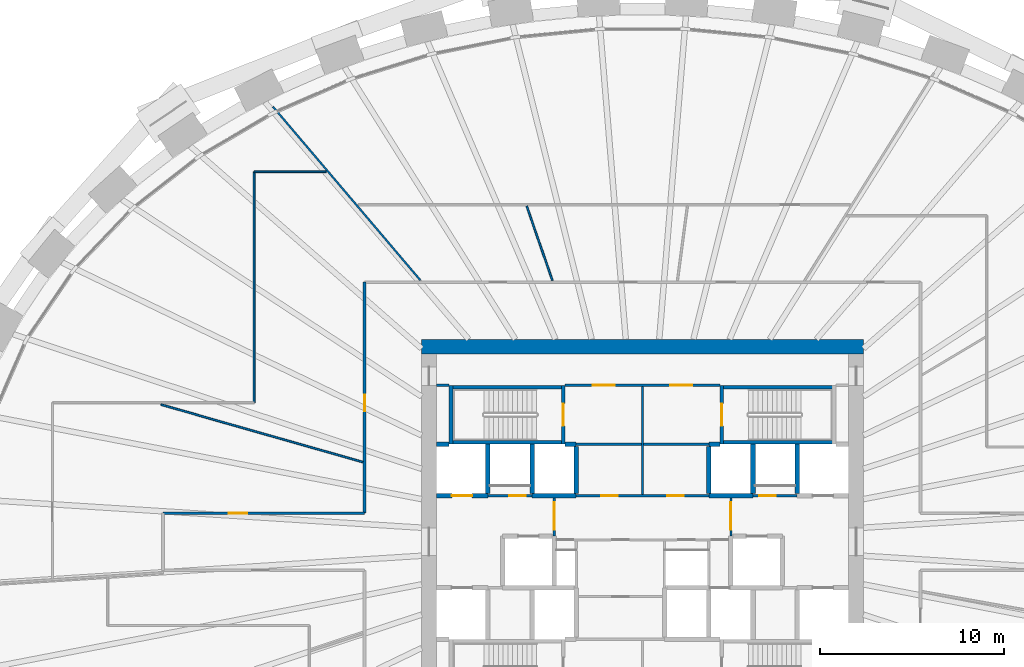
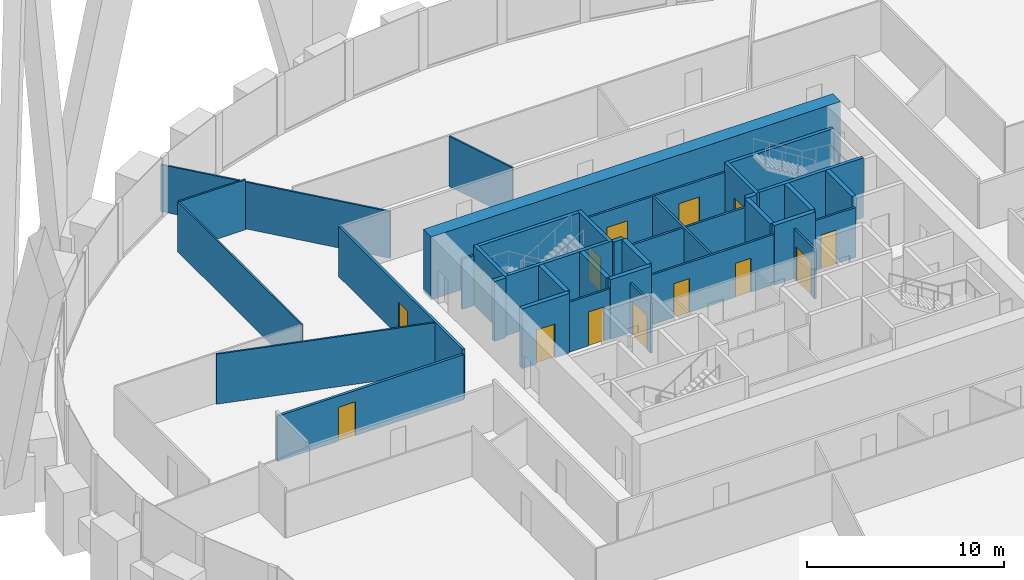
# One storey, part 9 of 12: 36 walls, 13 doors, 13 openings.
"""IFC4 building model written with IfcOpenShell, lengths in metres."""

from ifc_helpers import new_model, si_unit, direction, frame, frame_2d, origin, place, context, subcontext, project, spatial, rectangle, extrude, source, transform, mapped, material, layer, layer_set, type_object, element, fill, save


model = new_model("IFC4")

# Units and contexts
model_context = context("Model", 3, precision=1e-05, world=origin(), true_north=direction((0.0, 1.0)))
body_context = subcontext(model_context, "Body", "Model", "MODEL_VIEW")
ifc_project = project(units=[si_unit("LENGTHUNIT", "METRE"), si_unit("AREAUNIT", "SQUARE_METRE"), si_unit("VOLUMEUNIT", "CUBIC_METRE"), si_unit("PLANEANGLEUNIT", "RADIAN"), si_unit("MASSUNIT", "GRAM", prefix="KILO")], contexts=[model_context])

# Site, building, storey
site_placement = place(None, origin())
site = spatial("IfcSite", under=ifc_project, at=site_placement, CompositionType="ELEMENT")
building_placement = place(site_placement, origin())
building = spatial("IfcBuilding", under=site, at=building_placement, Name="Embergate Tower", CompositionType="ELEMENT")
storey_placement = place(building_placement, frame((0.0, 0.0, 159.89990234375)))
storey = spatial("IfcBuildingStorey", under=building, at=storey_placement, Name="L35", CompositionType="ELEMENT", Elevation=159.89990234375)

# Wall
ifc_material_1 = material(Name="Concrete C70", Category="concrete")
ifc_layer_1 = layer(ifc_material_1, 0.800048828125)
ifc_layer_set_1 = layer_set([ifc_layer_1], Name="Concrete C70")
wall_type_1 = type_object("IfcWallType", Name="Core outer wall C70 800", PredefinedType="SHEAR", material=ifc_layer_set_1)
shared_shape_1 = source(origin(), body_context, "Body", "SweptSolid", [
    extrude(rectangle(XDim=24.0, YDim=0.800048828125, at=frame_2d((12.0, 0.0))), origin(), (0.0, 0.0, 1.0), 3.900146484375),
])
wall_1_placement = place(storey_placement, frame((-12.0, 10.60009765625, -0.199951171875), z_axis=(0.0, 0.0, 1.0), x_axis=(1.0, 0.0, 0.0)))
element("IfcWall", 1, at=wall_1_placement, inside=storey, type_object=wall_type_1, Name="CW-L35-N", PredefinedType="SHEAR", context=body_context, shape_type="MappedRepresentation", body=[
    mapped(shared_shape_1, transform((0.0, 0.0, 0.0))),
])

# Wall, opening, door
ifc_material_2 = material(Name="Core partition blockwork 120")
ifc_layer_2 = layer(ifc_material_2, 0.1201171875)
ifc_layer_set_2 = layer_set([ifc_layer_2], Name="Core partition blockwork 120")
wall_type_2 = type_object("IfcWallType", Name="Core partition blockwork 120", PredefinedType="PARTITIONING", material=ifc_layer_set_2)
shared_shape_2 = source(origin(), body_context, "Body", "SweptSolid", [
    extrude(rectangle(XDim=2.074951171875, YDim=0.1201171875, at=frame_2d((1.03759765625, 0.0))), origin(), (0.0, 0.0, 1.0), 3.10009765625),
])
wall_2_placement = place(storey_placement, frame((-4.800048828125, 2.375, 0.0), z_axis=(0.0, 0.0, 1.0), x_axis=(0.0, -1.0, 0.0)))
wall_2 = element("IfcWall", 2, at=wall_2_placement, inside=storey, type_object=wall_type_2, Name="IP-3 wall", PredefinedType="PARTITIONING", context=body_context, shape_type="MappedRepresentation", body=[
    mapped(shared_shape_2, transform((0.0, 0.0, 0.0))),
])
shared_shape_3 = source(origin(), body_context, "Body", "SweptSolid", [
    extrude(rectangle(XDim=1.5, YDim=2.10009765625, at=frame_2d((0.75, 1.050048828125))), frame((0.0, 0.070068359375, 0.0), z_axis=(0.0, -1.0, 0.0), x_axis=(1.0, 0.0, 0.0)), (0.0, 0.0, 1.0), 0.14013671875),
])
opening_1_placement = place(wall_2_placement, frame((0.22509765625, 0.0, 0.0)))
opening_1 = element("IfcOpeningElement", 3, at=opening_1_placement, cuts=wall_2, Name="Opening IF-3", PredefinedType="OPENING", context=body_context, shape_type="MappedRepresentation", body=[
    mapped(shared_shape_3, transform((0.0, 0.0, 0.0))),
])
ifc_material_3 = material(Name="Lobby fire door pair 1500")
door_type_1 = type_object("IfcDoorType", Name="Lobby fire door pair 1500", OperationType="DOUBLE_DOOR_SINGLE_SWING", PredefinedType="DOOR", material=ifc_material_3)
shared_shape_4 = source(origin(), body_context, "Body", "SweptSolid", [
    extrude(rectangle(XDim=1.5, YDim=2.10009765625, at=frame_2d((0.75, 1.050048828125))), frame((0.0, 0.02490234375, 0.0), z_axis=(0.0, -1.0, 0.0), x_axis=(1.0, 0.0, 0.0)), (0.0, 0.0, 1.0), 0.050048828125),
])
door_1_placement = place(opening_1_placement, origin())
door_1 = element("IfcDoor", 4, at=door_1_placement, inside=storey, type_object=door_type_1, Name="IF-3 door", OperationType="DOUBLE_DOOR_SINGLE_SWING", OverallHeight=2.10009765625, OverallWidth=1.5, PredefinedType="DOOR", context=body_context, shape_type="MappedRepresentation", body=[
    mapped(shared_shape_4, transform((0.0, 0.0, 0.0))),
])
fill(opening_1, door_1)

wall_3_placement = place(storey_placement, frame((4.800048828125, 0.300048828125, 0.0), z_axis=(0.0, 0.0, 1.0), x_axis=(0.0, 1.0, 0.0)))
wall_3 = element("IfcWall", 5, at=wall_3_placement, inside=storey, type_object=wall_type_2, Name="IP-3 wall", PredefinedType="PARTITIONING", context=body_context, shape_type="MappedRepresentation", body=[
    mapped(shared_shape_2, transform((0.0, 0.0, 0.0))),
])
opening_2_placement = place(wall_3_placement, frame((0.35009765625, 0.0, 0.0)))
opening_2 = element("IfcOpeningElement", 6, at=opening_2_placement, cuts=wall_3, Name="Opening IF-3", PredefinedType="OPENING", context=body_context, shape_type="MappedRepresentation", body=[
    mapped(shared_shape_3, transform((0.0, 0.0, 0.0))),
])
door_2_placement = place(opening_2_placement, origin())
door_2 = element("IfcDoor", 7, at=door_2_placement, inside=storey, type_object=door_type_1, Name="IF-3 door", OperationType="DOUBLE_DOOR_SINGLE_SWING", OverallHeight=2.10009765625, OverallWidth=1.5, PredefinedType="DOOR", context=body_context, shape_type="MappedRepresentation", body=[
    mapped(shared_shape_4, transform((0.0, 0.0, 0.0))),
])
fill(opening_2, door_2)

# Wall, openings, doors
shared_shape_5 = source(origin(), body_context, "Body", "SweptSolid", [
    extrude(rectangle(XDim=8.39990234375, YDim=0.1201171875, at=frame_2d((4.199951171875, 0.0))), origin(), (0.0, 0.0, 1.0), 3.10009765625),
])
wall_4_placement = place(storey_placement, frame((4.199951171875, 8.5, 0.0), z_axis=(0.0, 0.0, 1.0), x_axis=(-1.0, 0.0, 0.0)))
wall_4 = element("IfcWall", 8, at=wall_4_placement, inside=storey, type_object=wall_type_2, Name="IP-3 wall", PredefinedType="PARTITIONING", context=body_context, shape_type="MappedRepresentation", body=[
    mapped(shared_shape_5, transform((0.0, 0.0, 0.0))),
])
shared_shape_6 = source(origin(), body_context, "Body", "SweptSolid", [
    extrude(rectangle(XDim=1.199951171875, YDim=2.10009765625, at=frame_2d((0.60009765625, 1.050048828125))), frame((0.0, 0.070068359375, 0.0), z_axis=(0.0, -1.0, 0.0), x_axis=(1.0, 0.0, 0.0)), (0.0, 0.0, 1.0), 0.14013671875),
])
opening_3_placement = place(wall_4_placement, frame((5.699951171875, 0.0, 0.0)))
opening_3 = element("IfcOpeningElement", 9, at=opening_3_placement, cuts=wall_4, Name="Opening IF-3f", PredefinedType="OPENING", context=body_context, shape_type="MappedRepresentation", body=[
    mapped(shared_shape_6, transform((0.0, 0.0, 0.0))),
])
opening_4_placement = place(wall_4_placement, frame((1.5, 0.0, 0.0)))
opening_4 = element("IfcOpeningElement", 10, at=opening_4_placement, cuts=wall_4, Name="Opening IF-3f", PredefinedType="OPENING", context=body_context, shape_type="MappedRepresentation", body=[
    mapped(shared_shape_6, transform((0.0, 0.0, 0.0))),
])
ifc_material_4 = material(Name="Lobby fire door pair 1200")
door_type_2 = type_object("IfcDoorType", Name="Lobby fire door pair 1200", OperationType="DOUBLE_DOOR_SINGLE_SWING", PredefinedType="DOOR", material=ifc_material_4)
shared_shape_7 = source(origin(), body_context, "Body", "SweptSolid", [
    extrude(rectangle(XDim=1.199951171875, YDim=2.10009765625, at=frame_2d((0.60009765625, 1.050048828125))), frame((0.0, 0.02490234375, 0.0), z_axis=(0.0, -1.0, 0.0), x_axis=(1.0, 0.0, 0.0)), (0.0, 0.0, 1.0), 0.050048828125),
])
door_3_placement = place(opening_3_placement, origin())
door_3 = element("IfcDoor", 11, at=door_3_placement, inside=storey, type_object=door_type_2, Name="IF-3 door", OperationType="DOUBLE_DOOR_SINGLE_SWING", OverallHeight=2.10009765625, OverallWidth=1.199951171875, PredefinedType="DOOR", context=body_context, shape_type="MappedRepresentation", body=[
    mapped(shared_shape_7, transform((0.0, 0.0, 0.0))),
])
fill(opening_3, door_3)
door_4_placement = place(opening_4_placement, origin())
door_4 = element("IfcDoor", 12, at=door_4_placement, inside=storey, type_object=door_type_2, Name="IF-3 door", OperationType="DOUBLE_DOOR_SINGLE_SWING", OverallHeight=2.10009765625, OverallWidth=1.199951171875, PredefinedType="DOOR", context=body_context, shape_type="MappedRepresentation", body=[
    mapped(shared_shape_7, transform((0.0, 0.0, 0.0))),
])
fill(opening_4, door_4)

# Walls
ifc_material_5 = material(Name="Concrete C50", Category="concrete")
ifc_layer_3 = layer(ifc_material_5, 0.25)
ifc_layer_set_3 = layer_set([ifc_layer_3], Name="Concrete C50")
wall_type_3 = type_object("IfcWallType", Name="Hoistway wall reinforced concrete 250", PredefinedType="SHEAR", material=ifc_layer_set_3)
shared_shape_8 = source(origin(), body_context, "Body", "SweptSolid", [
    extrude(rectangle(XDim=2.675048828125, YDim=0.25, at=frame_2d((1.33740234375, 0.0))), origin(), (0.0, 0.0, 1.0), 3.7001953125),
])
for number, where, z_axis, x_axis, name in (
    (13, (-8.39990234375, 2.625, 0.0), (0.0, 0.0, 1.0), (0.0, 1.0, 0.0), "HW-1 wall"),
    (14, (-6.0, 2.625, 0.0), (0.0, 0.0, 1.0), (0.0, 1.0, 0.0), "HW-1 wall"),
    (15, (6.0, 2.625, 0.0), (0.0, 0.0, 1.0), (0.0, 1.0, 0.0), "HW-1 wall"),
    (16, (8.39990234375, 2.625, 0.0), (0.0, 0.0, 1.0), (0.0, 1.0, 0.0), "HW-1 wall"),
):
    element("IfcWall", number, at=place(storey_placement, frame(where, z_axis=z_axis, x_axis=x_axis)), inside=storey, type_object=wall_type_3, Name=name, PredefinedType="SHEAR", context=body_context, shape_type="MappedRepresentation", body=[
        mapped(shared_shape_8, transform((0.0, 0.0, 0.0))),
    ])
ifc_layer_4 = layer(ifc_material_5, 0.199951171875)
ifc_layer_set_4 = layer_set([ifc_layer_4], Name="Concrete C50")
wall_type_4 = type_object("IfcWallType", Name="Stair enclosure wall reinforced concrete 250", PredefinedType="SHEAR", material=ifc_layer_set_4)
shared_shape_9 = source(origin(), body_context, "Body", "SweptSolid", [
    extrude(rectangle(XDim=6.300048828125, YDim=0.199951171875, at=frame_2d((3.14990234375, 0.0))), origin(), (0.0, 0.0, 1.0), 3.7001953125),
])
for number, where, z_axis, x_axis, name in (
    (17, (-4.199951171875, 5.39990234375, 0.0), (0.0, 0.0, 1.0), (-1.0, 0.0, 0.0), "SE-1 wall"),
    (18, (10.5, 5.39990234375, 0.0), (0.0, 0.0, 1.0), (-1.0, 0.0, 0.0), "SE-1 wall"),
    (19, (-4.199951171875, 8.39990234375, 0.0), (0.0, 0.0, 1.0), (-1.0, 0.0, 0.0), "SE-1 wall"),
    (20, (10.5, 8.39990234375, 0.0), (0.0, 0.0, 1.0), (-1.0, 0.0, 0.0), "SE-1 wall"),
):
    element("IfcWall", number, at=place(storey_placement, frame(where, z_axis=z_axis, x_axis=x_axis)), inside=storey, type_object=wall_type_4, Name=name, PredefinedType="SHEAR", context=body_context, shape_type="MappedRepresentation", body=[
        mapped(shared_shape_9, transform((0.0, 0.0, 0.0))),
    ])
shared_shape_10 = source(origin(), body_context, "Body", "SweptSolid", [
    extrude(rectangle(XDim=2.550048828125, YDim=0.25, at=frame_2d((1.27490234375, 0.0))), origin(), (0.0, 0.0, 1.0), 3.7001953125),
])
for number, where, z_axis, x_axis, name in (
    (21, (-3.60009765625, 2.625, 0.0), (0.0, 0.0, 1.0), (0.0, 1.0, 0.0), "HW-1 wall"),
    (22, (3.60009765625, 5.175048828125, 0.0), (0.0, 0.0, 1.0), (0.0, -1.0, 0.0), "HW-1 wall"),
):
    element("IfcWall", number, at=place(storey_placement, frame(where, z_axis=z_axis, x_axis=x_axis)), inside=storey, type_object=wall_type_3, Name=name, PredefinedType="SHEAR", context=body_context, shape_type="MappedRepresentation", body=[
        mapped(shared_shape_10, transform((0.0, 0.0, 0.0))),
    ])

# Wall, opening, door
shared_shape_11 = source(origin(), body_context, "Body", "SweptSolid", [
    extrude(rectangle(XDim=3.199951171875, YDim=0.199951171875, at=frame_2d((1.60009765625, 0.0))), origin(), (0.0, 0.0, 1.0), 3.7001953125),
])
wall_5_placement = place(storey_placement, frame((-4.300048828125, 5.300048828125, 0.0), z_axis=(0.0, 0.0, 1.0), x_axis=(0.0, 1.0, 0.0)))
wall_5 = element("IfcWall", 23, at=wall_5_placement, inside=storey, type_object=wall_type_4, Name="SE-1 wall", PredefinedType="SHEAR", context=body_context, shape_type="MappedRepresentation", body=[
    mapped(shared_shape_11, transform((0.0, 0.0, 0.0))),
])
shared_shape_12 = source(origin(), body_context, "Body", "SweptSolid", [
    extrude(rectangle(XDim=1.199951171875, YDim=2.10009765625, at=frame_2d((0.60009765625, 1.050048828125))), frame((0.0, 0.10986328125, 0.0), z_axis=(0.0, -1.0, 0.0), x_axis=(1.0, 0.0, 0.0)), (0.0, 0.0, 1.0), 0.219970703125),
])
opening_5_placement = place(wall_5_placement, frame((1.0, 0.0, 0.0)))
opening_5 = element("IfcOpeningElement", 24, at=opening_5_placement, cuts=wall_5, Name="Opening IF-2", PredefinedType="OPENING", context=body_context, shape_type="MappedRepresentation", body=[
    mapped(shared_shape_12, transform((0.0, 0.0, 0.0))),
])
ifc_material_6 = material(Name="Stair enclosure door 1200")
door_type_3 = type_object("IfcDoorType", Name="Stair enclosure door 1200", OperationType="SINGLE_SWING_LEFT", PredefinedType="DOOR", material=ifc_material_6)
door_5_placement = place(opening_5_placement, origin())
door_5 = element("IfcDoor", 25, at=door_5_placement, inside=storey, type_object=door_type_3, Name="IF-2 door", OperationType="SINGLE_SWING_RIGHT", OverallHeight=2.10009765625, OverallWidth=1.199951171875, PredefinedType="DOOR", context=body_context, shape_type="MappedRepresentation", body=[
    mapped(shared_shape_7, transform((0.0, 0.0, 0.0))),
])
fill(opening_5, door_5)

wall_6_placement = place(storey_placement, frame((4.300048828125, 8.5, 0.0), z_axis=(0.0, 0.0, 1.0), x_axis=(0.0, -1.0, 0.0)))
wall_6 = element("IfcWall", 26, at=wall_6_placement, inside=storey, type_object=wall_type_4, Name="SE-1 wall", PredefinedType="SHEAR", context=body_context, shape_type="MappedRepresentation", body=[
    mapped(shared_shape_11, transform((0.0, 0.0, 0.0))),
])
opening_6_placement = place(wall_6_placement, frame((1.0, 0.0, 0.0)))
opening_6 = element("IfcOpeningElement", 27, at=opening_6_placement, cuts=wall_6, Name="Opening IF-2", PredefinedType="OPENING", context=body_context, shape_type="MappedRepresentation", body=[
    mapped(shared_shape_12, transform((0.0, 0.0, 0.0))),
])
door_6_placement = place(opening_6_placement, origin())
door_6 = element("IfcDoor", 28, at=door_6_placement, inside=storey, type_object=door_type_3, Name="IF-2 door", OperationType="SINGLE_SWING_LEFT", OverallHeight=2.10009765625, OverallWidth=1.199951171875, PredefinedType="DOOR", context=body_context, shape_type="MappedRepresentation", body=[
    mapped(shared_shape_7, transform((0.0, 0.0, 0.0))),
])
fill(opening_6, door_6)

# Walls
shared_shape_13 = source(origin(), body_context, "Body", "SweptSolid", [
    extrude(rectangle(XDim=2.39990234375, YDim=0.25, at=frame_2d((1.199951171875, 0.0))), origin(), (0.0, 0.0, 1.0), 3.7001953125),
])
for number, where, z_axis, x_axis, name in (
    (29, (-6.0, 2.5, 0.0), (0.0, 0.0, 1.0), (1.0, 0.0, 0.0), "HW-1 wall"),
    (30, (3.60009765625, 2.5, 0.0), (0.0, 0.0, 1.0), (1.0, 0.0, 0.0), "HW-1 wall"),
):
    element("IfcWall", number, at=place(storey_placement, frame(where, z_axis=z_axis, x_axis=x_axis)), inside=storey, type_object=wall_type_3, Name=name, PredefinedType="SHEAR", context=body_context, shape_type="MappedRepresentation", body=[
        mapped(shared_shape_13, transform((0.0, 0.0, 0.0))),
    ])

# Wall, opening, door
ifc_material_7 = material(Name="Corridor wall dry-lined 150")
ifc_layer_5 = layer(ifc_material_7, 0.14990234375)
ifc_layer_set_5 = layer_set([ifc_layer_5], Name="Corridor wall dry-lined 150")
wall_type_5 = type_object("IfcWallType", Name="Corridor wall dry-lined 150", PredefinedType="PARTITIONING", material=ifc_layer_set_5)
shared_shape_14 = source(origin(), body_context, "Body", "SweptSolid", [
    extrude(rectangle(XDim=10.949951171875, YDim=0.14990234375, at=frame_2d((5.47509765625, 0.0))), origin(), (0.0, 0.0, 1.0), 2.800048828125),
])
wall_7_placement = place(storey_placement, frame((-15.10009765625, 1.550048828125, 0.0), z_axis=(0.0, 0.0, 1.0), x_axis=(-1.0, 0.0, 0.0)))
wall_7 = element("IfcWall", 31, at=wall_7_placement, inside=storey, type_object=wall_type_5, Name="IP-2 wall", PredefinedType="PARTITIONING", context=body_context, shape_type="MappedRepresentation", body=[
    mapped(shared_shape_14, transform((0.0, 0.0, 0.0))),
])
shared_shape_15 = source(origin(), body_context, "Body", "SweptSolid", [
    extrude(rectangle(XDim=1.0, YDim=2.10009765625, at=frame_2d((0.5, 1.050048828125))), frame((0.0, 0.0849609375, 0.0), z_axis=(0.0, -1.0, 0.0), x_axis=(1.0, 0.0, 0.0)), (0.0, 0.0, 1.0), 0.169921875),
])
opening_7_placement = place(wall_7_placement, frame((6.376953125, 0.0, 0.0)))
opening_7 = element("IfcOpeningElement", 32, at=opening_7_placement, cuts=wall_7, Name="Opening ID-2", PredefinedType="OPENING", context=body_context, shape_type="MappedRepresentation", body=[
    mapped(shared_shape_15, transform((0.0, 0.0, 0.0))),
])
ifc_material_8 = material(Name="Interior door 1000")
door_type_4 = type_object("IfcDoorType", Name="Interior door 1000", OperationType="SINGLE_SWING_LEFT", PredefinedType="DOOR", material=ifc_material_8)
shared_shape_16 = source(origin(), body_context, "Body", "SweptSolid", [
    extrude(rectangle(XDim=1.0, YDim=2.10009765625, at=frame_2d((0.5, 1.050048828125))), frame((0.0, 0.02490234375, 0.0), z_axis=(0.0, -1.0, 0.0), x_axis=(1.0, 0.0, 0.0)), (0.0, 0.0, 1.0), 0.050048828125),
])
door_7_placement = place(opening_7_placement, origin())
door_7 = element("IfcDoor", 33, at=door_7_placement, inside=storey, type_object=door_type_4, Name="ID-2 door", OperationType="SINGLE_SWING_LEFT", OverallHeight=2.10009765625, OverallWidth=1.0, PredefinedType="DOOR", context=body_context, shape_type="MappedRepresentation", body=[
    mapped(shared_shape_16, transform((0.0, 0.0, 0.0))),
])
fill(opening_7, door_7)

shared_shape_17 = source(origin(), body_context, "Body", "SweptSolid", [
    extrude(rectangle(XDim=2.39990234375, YDim=0.1201171875, at=frame_2d((1.199951171875, 0.0))), origin(), (0.0, 0.0, 1.0), 3.10009765625),
])
wall_8_placement = place(storey_placement, frame((-8.39990234375, 2.5, 0.0), z_axis=(0.0, 0.0, 1.0), x_axis=(1.0, 0.0, 0.0)))
wall_8 = element("IfcWall", 34, at=wall_8_placement, inside=storey, type_object=wall_type_2, Name="IP-3 wall", PredefinedType="PARTITIONING", context=body_context, shape_type="MappedRepresentation", body=[
    mapped(shared_shape_17, transform((0.0, 0.0, 0.0))),
])
shared_shape_18 = source(origin(), body_context, "Body", "SweptSolid", [
    extrude(rectangle(XDim=0.89990234375, YDim=2.10009765625, at=frame_2d((0.449951171875, 1.050048828125))), frame((0.0, 0.070068359375, 0.0), z_axis=(0.0, -1.0, 0.0), x_axis=(1.0, 0.0, 0.0)), (0.0, 0.0, 1.0), 0.14013671875),
])
opening_8_placement = place(wall_8_placement, frame((1.14990234375, 0.0, 0.0)))
opening_8 = element("IfcOpeningElement", 35, at=opening_8_placement, cuts=wall_8, Name="Opening ID-1", PredefinedType="OPENING", context=body_context, shape_type="MappedRepresentation", body=[
    mapped(shared_shape_18, transform((0.0, 0.0, 0.0))),
])
ifc_material_9 = material(Name="Interior door 900")
door_type_5 = type_object("IfcDoorType", Name="Interior door 900", OperationType="SINGLE_SWING_LEFT", PredefinedType="DOOR", material=ifc_material_9)
shared_shape_19 = source(origin(), body_context, "Body", "SweptSolid", [
    extrude(rectangle(XDim=0.89990234375, YDim=2.10009765625, at=frame_2d((0.449951171875, 1.050048828125))), frame((0.0, 0.02490234375, 0.0), z_axis=(0.0, -1.0, 0.0), x_axis=(1.0, 0.0, 0.0)), (0.0, 0.0, 1.0), 0.050048828125),
])
door_8_placement = place(opening_8_placement, origin())
door_8 = element("IfcDoor", 36, at=door_8_placement, inside=storey, type_object=door_type_5, Name="ID-1 door", OperationType="SINGLE_SWING_LEFT", OverallHeight=2.10009765625, OverallWidth=0.89990234375, PredefinedType="DOOR", context=body_context, shape_type="MappedRepresentation", body=[
    mapped(shared_shape_19, transform((0.0, 0.0, 0.0))),
])
fill(opening_8, door_8)

wall_9_placement = place(storey_placement, frame((6.0, 2.5, 0.0), z_axis=(0.0, 0.0, 1.0), x_axis=(1.0, 0.0, 0.0)))
wall_9 = element("IfcWall", 37, at=wall_9_placement, inside=storey, type_object=wall_type_2, Name="IP-3 wall", PredefinedType="PARTITIONING", context=body_context, shape_type="MappedRepresentation", body=[
    mapped(shared_shape_17, transform((0.0, 0.0, 0.0))),
])
opening_9_placement = place(wall_9_placement, frame((0.35009765625, 0.0, 0.0)))
opening_9 = element("IfcOpeningElement", 38, at=opening_9_placement, cuts=wall_9, Name="Opening ID-1", PredefinedType="OPENING", context=body_context, shape_type="MappedRepresentation", body=[
    mapped(shared_shape_18, transform((0.0, 0.0, 0.0))),
])
door_9_placement = place(opening_9_placement, origin())
door_9 = element("IfcDoor", 39, at=door_9_placement, inside=storey, type_object=door_type_5, Name="ID-1 door", OperationType="SINGLE_SWING_RIGHT", OverallHeight=2.10009765625, OverallWidth=0.89990234375, PredefinedType="DOOR", context=body_context, shape_type="MappedRepresentation", body=[
    mapped(shared_shape_19, transform((0.0, 0.0, 0.0))),
])
fill(opening_9, door_9)

# Wall, openings, doors
shared_shape_20 = source(origin(), body_context, "Body", "SweptSolid", [
    extrude(rectangle(XDim=7.2001953125, YDim=0.1201171875, at=frame_2d((3.60009765625, 0.0))), origin(), (0.0, 0.0, 1.0), 3.10009765625),
])
wall_10_placement = place(storey_placement, frame((3.60009765625, 2.5, 0.0), z_axis=(0.0, 0.0, 1.0), x_axis=(-1.0, 0.0, 0.0)))
wall_10 = element("IfcWall", 40, at=wall_10_placement, inside=storey, type_object=wall_type_2, Name="IP-3 wall", PredefinedType="PARTITIONING", context=body_context, shape_type="MappedRepresentation", body=[
    mapped(shared_shape_20, transform((0.0, 0.0, 0.0))),
])
opening_10_placement = place(wall_10_placement, frame((4.949951171875, 0.0, 0.0)))
opening_10 = element("IfcOpeningElement", 41, at=opening_10_placement, cuts=wall_10, Name="Opening ID-1", PredefinedType="OPENING", context=body_context, shape_type="MappedRepresentation", body=[
    mapped(shared_shape_18, transform((0.0, 0.0, 0.0))),
])
opening_11_placement = place(wall_10_placement, frame((1.35009765625, 0.0, 0.0)))
opening_11 = element("IfcOpeningElement", 42, at=opening_11_placement, cuts=wall_10, Name="Opening ID-1", PredefinedType="OPENING", context=body_context, shape_type="MappedRepresentation", body=[
    mapped(shared_shape_18, transform((0.0, 0.0, 0.0))),
])
door_10_placement = place(opening_10_placement, origin())
door_10 = element("IfcDoor", 43, at=door_10_placement, inside=storey, type_object=door_type_5, Name="ID-1 door", OperationType="SINGLE_SWING_RIGHT", OverallHeight=2.10009765625, OverallWidth=0.89990234375, PredefinedType="DOOR", context=body_context, shape_type="MappedRepresentation", body=[
    mapped(shared_shape_19, transform((0.0, 0.0, 0.0))),
])
fill(opening_10, door_10)
door_11_placement = place(opening_11_placement, origin())
door_11 = element("IfcDoor", 44, at=door_11_placement, inside=storey, type_object=door_type_5, Name="ID-1 door", OperationType="SINGLE_SWING_LEFT", OverallHeight=2.10009765625, OverallWidth=0.89990234375, PredefinedType="DOOR", context=body_context, shape_type="MappedRepresentation", body=[
    mapped(shared_shape_19, transform((0.0, 0.0, 0.0))),
])
fill(opening_11, door_11)

# Walls
wall_11_placement = place(storey_placement, frame((-3.60009765625, 5.300048828125, 0.0), z_axis=(0.0, 0.0, 1.0), x_axis=(1.0, 0.0, 0.0)))
element("IfcWall", 45, at=wall_11_placement, inside=storey, type_object=wall_type_2, Name="IP-3 wall", PredefinedType="PARTITIONING", context=body_context, shape_type="MappedRepresentation", body=[
    mapped(shared_shape_20, transform((0.0, 0.0, 0.0))),
])
shared_shape_21 = source(origin(), body_context, "Body", "SweptSolid", [
    extrude(rectangle(XDim=0.697998046875, YDim=0.1201171875, at=frame_2d((0.34912109375, 0.0))), origin(), (0.0, 0.0, 1.0), 3.10009765625),
])
wall_12_placement = place(storey_placement, frame((-11.199951171875, 8.5, 0.0), z_axis=(0.0, 0.0, 1.0), x_axis=(1.0, 0.0, 0.0)))
element("IfcWall", 46, at=wall_12_placement, inside=storey, type_object=wall_type_2, Name="IP-3 wall", PredefinedType="PARTITIONING", context=body_context, shape_type="MappedRepresentation", body=[
    mapped(shared_shape_21, transform((0.0, 0.0, 0.0))),
])

# Wall, opening, door
shared_shape_22 = source(origin(), body_context, "Body", "SweptSolid", [
    extrude(rectangle(XDim=2.800048828125, YDim=0.25, at=frame_2d((1.39990234375, 0.0))), origin(), (0.0, 0.0, 1.0), 3.7001953125),
])
wall_13_placement = place(storey_placement, frame((-11.199951171875, 2.5, 0.0), z_axis=(0.0, 0.0, 1.0), x_axis=(1.0, 0.0, 0.0)))
wall_13 = element("IfcWall", 47, at=wall_13_placement, inside=storey, type_object=wall_type_3, Name="HW-1 wall", PredefinedType="SHEAR", context=body_context, shape_type="MappedRepresentation", body=[
    mapped(shared_shape_22, transform((0.0, 0.0, 0.0))),
])
shared_shape_23 = source(origin(), body_context, "Body", "SweptSolid", [
    extrude(rectangle(XDim=1.10009765625, YDim=2.10009765625, at=frame_2d((0.550048828125, 1.050048828125))), frame((0.0, 0.135009765625, 0.0), z_axis=(0.0, -1.0, 0.0), x_axis=(1.0, 0.0, 0.0)), (0.0, 0.0, 1.0), 0.27001953125),
])
opening_12_placement = place(wall_13_placement, frame((0.85009765625, 0.0, 0.0)))
opening_12 = element("IfcOpeningElement", 48, at=opening_12_placement, cuts=wall_13, Name="Opening LD", PredefinedType="OPENING", context=body_context, shape_type="MappedRepresentation", body=[
    mapped(shared_shape_23, transform((0.0, 0.0, 0.0))),
])
ifc_material_10 = material(Name="Landing door sliding 1100")
door_type_6 = type_object("IfcDoorType", Name="Landing door sliding 1100", OperationType="SLIDING_TO_LEFT", PredefinedType="DOOR", material=ifc_material_10)
shared_shape_24 = source(origin(), body_context, "Body", "SweptSolid", [
    extrude(rectangle(XDim=1.10009765625, YDim=2.10009765625, at=frame_2d((0.550048828125, 1.050048828125))), frame((0.0, 0.02490234375, 0.0), z_axis=(0.0, -1.0, 0.0), x_axis=(1.0, 0.0, 0.0)), (0.0, 0.0, 1.0), 0.050048828125),
])
door_12_placement = place(opening_12_placement, origin())
door_12 = element("IfcDoor", 49, at=door_12_placement, inside=storey, type_object=door_type_6, Name="LD door", OperationType="SLIDING_TO_RIGHT", OverallHeight=2.10009765625, OverallWidth=1.10009765625, PredefinedType="DOOR", context=body_context, shape_type="MappedRepresentation", body=[
    mapped(shared_shape_24, transform((0.0, 0.0, 0.0))),
])
fill(opening_12, door_12)

# Walls
shared_shape_25 = source(origin(), body_context, "Body", "SweptSolid", [
    extrude(rectangle(XDim=0.599853515625, YDim=0.25, at=frame_2d((0.2998046875, 0.0))), origin(), (0.0, 0.0, 1.0), 3.7001953125),
])
for number, where, z_axis, x_axis, name in (
    (50, (-3.60009765625, 5.300048828125, 0.0), (0.0, 0.0, 1.0), (-1.0, 0.0, 0.0), "HW-1 wall"),
    (51, (4.199951171875, 5.300048828125, 0.0), (0.0, 0.0, 1.0), (-1.0, 0.0, 0.0), "HW-1 wall"),
):
    element("IfcWall", number, at=place(storey_placement, frame(where, z_axis=z_axis, x_axis=x_axis)), inside=storey, type_object=wall_type_3, Name=name, PredefinedType="SHEAR", context=body_context, shape_type="MappedRepresentation", body=[
        mapped(shared_shape_25, transform((0.0, 0.0, 0.0))),
    ])
shared_shape_26 = source(origin(), body_context, "Body", "SweptSolid", [
    extrude(rectangle(XDim=3.196044921875, YDim=0.199951171875, at=frame_2d((1.59814453125, 0.0))), origin(), (0.0, 0.0, 1.0), 3.7001953125),
])
wall_14_placement = place(storey_placement, frame((-10.39990234375, 8.498046875, 0.0), z_axis=(0.0, 0.0, 1.0), x_axis=(0.0, -1.0, 0.0)))
element("IfcWall", 52, at=wall_14_placement, inside=storey, type_object=wall_type_4, Name="SE-1 wall", PredefinedType="SHEAR", context=body_context, shape_type="MappedRepresentation", body=[
    mapped(shared_shape_26, transform((0.0, 0.0, 0.0))),
])
shared_shape_27 = source(origin(), body_context, "Body", "SweptSolid", [
    extrude(rectangle(XDim=0.697998046875, YDim=0.25, at=frame_2d((0.34912109375, 0.0))), origin(), (0.0, 0.0, 1.0), 3.7001953125),
])
wall_15_placement = place(storey_placement, frame((-10.501953125, 5.300048828125, 0.0), z_axis=(0.0, 0.0, 1.0), x_axis=(-1.0, 0.0, 0.0)))
element("IfcWall", 53, at=wall_15_placement, inside=storey, type_object=wall_type_3, Name="HW-1 wall", PredefinedType="SHEAR", context=body_context, shape_type="MappedRepresentation", body=[
    mapped(shared_shape_27, transform((0.0, 0.0, 0.0))),
])

# Wall, opening, door
shared_shape_28 = source(origin(), body_context, "Body", "SweptSolid", [
    extrude(rectangle(XDim=12.550048828125, YDim=0.14990234375, at=frame_2d((6.27490234375, 0.0))), origin(), (0.0, 0.0, 1.0), 3.10009765625),
])
wall_16_placement = place(storey_placement, frame((-15.10009765625, 1.550048828125, 0.0), z_axis=(0.0, 0.0, 1.0), x_axis=(0.0, 1.0, 0.0)))
wall_16 = element("IfcWall", 54, at=wall_16_placement, inside=storey, type_object=wall_type_5, Name="IP-2 wall", PredefinedType="PARTITIONING", context=body_context, shape_type="MappedRepresentation", body=[
    mapped(shared_shape_28, transform((0.0, 0.0, 0.0))),
])
shared_shape_29 = source(origin(), body_context, "Body", "SweptSolid", [
    extrude(rectangle(XDim=0.89990234375, YDim=2.10009765625, at=frame_2d((0.449951171875, 1.050048828125))), frame((0.0, 0.0849609375, 0.0), z_axis=(0.0, -1.0, 0.0), x_axis=(1.0, 0.0, 0.0)), (0.0, 0.0, 1.0), 0.169921875),
])
opening_13_placement = place(wall_16_placement, frame((5.5400390625, 0.0, 0.0)))
opening_13 = element("IfcOpeningElement", 55, at=opening_13_placement, cuts=wall_16, Name="Opening IF-1c", PredefinedType="OPENING", context=body_context, shape_type="MappedRepresentation", body=[
    mapped(shared_shape_29, transform((0.0, 0.0, 0.0))),
])
ifc_material_11 = material(Name="Escape fire door 900")
door_type_7 = type_object("IfcDoorType", Name="Escape fire door 900", OperationType="SINGLE_SWING_LEFT", PredefinedType="DOOR", material=ifc_material_11)
door_13_placement = place(opening_13_placement, origin())
door_13 = element("IfcDoor", 56, at=door_13_placement, inside=storey, type_object=door_type_7, Name="IF-1 door", OperationType="SINGLE_SWING_LEFT", OverallHeight=2.10009765625, OverallWidth=0.89990234375, PredefinedType="DOOR", context=body_context, shape_type="MappedRepresentation", body=[
    mapped(shared_shape_19, transform((0.0, 0.0, 0.0))),
])
fill(opening_13, door_13)

# Walls
ifc_material_12 = material(Name="Partition dry-lined 100")
ifc_layer_6 = layer(ifc_material_12, 0.10009765625)
ifc_layer_set_6 = layer_set([ifc_layer_6], Name="Partition dry-lined 100")
wall_type_6 = type_object("IfcWallType", Name="Partition dry-lined 100", PredefinedType="PARTITIONING", material=ifc_layer_set_6)
shared_shape_30 = source(origin(), body_context, "Body", "SweptSolid", [
    extrude(rectangle(XDim=12.550048828125, YDim=0.10009765625, at=frame_2d((6.27490234375, 0.0))), origin(), (0.0, 0.0, 1.0), 3.10009765625),
])
wall_17_placement = place(storey_placement, frame((-21.10009765625, 7.550048828125, 0.0), z_axis=(0.0, 0.0, 1.0), x_axis=(0.0, 1.0, 0.0)))
element("IfcWall", 57, at=wall_17_placement, inside=storey, type_object=wall_type_6, Name="IP-1 wall", PredefinedType="PARTITIONING", context=body_context, shape_type="MappedRepresentation", body=[
    mapped(shared_shape_30, transform((0.0, 0.0, 0.0))),
])
shared_shape_31 = source(origin(), body_context, "Body", "SweptSolid", [
    extrude(rectangle(XDim=4.276611328125, YDim=0.10009765625, at=frame_2d((2.13818359375, 0.0))), origin(), (0.0, 0.0, 1.0), 3.10009765625),
])
wall_18_placement = place(storey_placement, frame((-4.89501953125, 14.19091796875, 0.0), z_axis=(0.0, 0.0, 1.0), x_axis=(-0.325973089691, 0.945379048211, 0.0)))
element("IfcWall", 58, at=wall_18_placement, inside=storey, type_object=wall_type_6, Name="IP-1 wall", PredefinedType="PARTITIONING", context=body_context, shape_type="MappedRepresentation", body=[
    mapped(shared_shape_31, transform((0.0, 0.0, 0.0))),
])
shared_shape_32 = source(origin(), body_context, "Body", "SweptSolid", [
    extrude(rectangle(XDim=11.41357421875, YDim=0.10009765625, at=frame_2d((5.706787109375, 0.0))), origin(), (0.0, 0.0, 1.0), 3.10009765625),
])
wall_19_placement = place(storey_placement, frame((-15.18896484375, 4.325927734375, 0.0), z_axis=(0.0, 0.0, 1.0), x_axis=(-0.961762512549, 0.273884774047, 0.0)))
element("IfcWall", 59, at=wall_19_placement, inside=storey, type_object=wall_type_6, Name="IP-1 wall", PredefinedType="PARTITIONING", context=body_context, shape_type="MappedRepresentation", body=[
    mapped(shared_shape_32, transform((0.0, 0.0, 0.0))),
])
shared_shape_33 = source(origin(), body_context, "Body", "SweptSolid", [
    extrude(rectangle(XDim=3.9169921875, YDim=0.10009765625, at=frame_2d((1.95849609375, 0.0))), origin(), (0.0, 0.0, 1.0), 3.10009765625),
])
wall_20_placement = place(storey_placement, frame((-21.10009765625, 20.10009765625, 0.0), z_axis=(0.0, 0.0, 1.0), x_axis=(1.0, 0.0, 0.0)))
element("IfcWall", 60, at=wall_20_placement, inside=storey, type_object=wall_type_6, Name="IP-1 wall", PredefinedType="PARTITIONING", context=body_context, shape_type="MappedRepresentation", body=[
    mapped(shared_shape_33, transform((0.0, 0.0, 0.0))),
])
shared_shape_34 = source(origin(), body_context, "Body", "SweptSolid", [
    extrude(rectangle(XDim=5.8798828125, YDim=0.1201171875, at=frame_2d((2.93994140625, 0.0))), origin(), (0.0, 0.0, 1.0), 3.10009765625),
])
wall_21_placement = place(storey_placement, frame((0.0, 2.56005859375, 0.0), z_axis=(0.0, 0.0, 1.0), x_axis=(0.0, 1.0, 0.0)))
element("IfcWall", 61, at=wall_21_placement, inside=storey, type_object=wall_type_2, Name="IP-3 wall", PredefinedType="PARTITIONING", context=body_context, shape_type="MappedRepresentation", body=[
    mapped(shared_shape_34, transform((0.0, 0.0, 0.0))),
])
shared_shape_35 = source(origin(), body_context, "Body", "SweptSolid", [
    extrude(rectangle(XDim=12.37109375, YDim=0.10009765625, at=frame_2d((6.185546875, 0.0))), origin(), (0.0, 0.0, 1.0), 2.900146484375),
])
wall_22_placement = place(storey_placement, frame((-20.077880859375, 23.635986328125, 0.0), z_axis=(0.0, 0.0, 1.0), x_axis=(0.647375129587, -0.762171530295, 0.0)))
element("IfcWall", 62, at=wall_22_placement, inside=storey, type_object=wall_type_6, Name="IP-1 wall", PredefinedType="PARTITIONING", context=body_context, shape_type="MappedRepresentation", body=[
    mapped(shared_shape_35, transform((0.0, 0.0, 0.0))),
])

save(model, "model.ifc")
